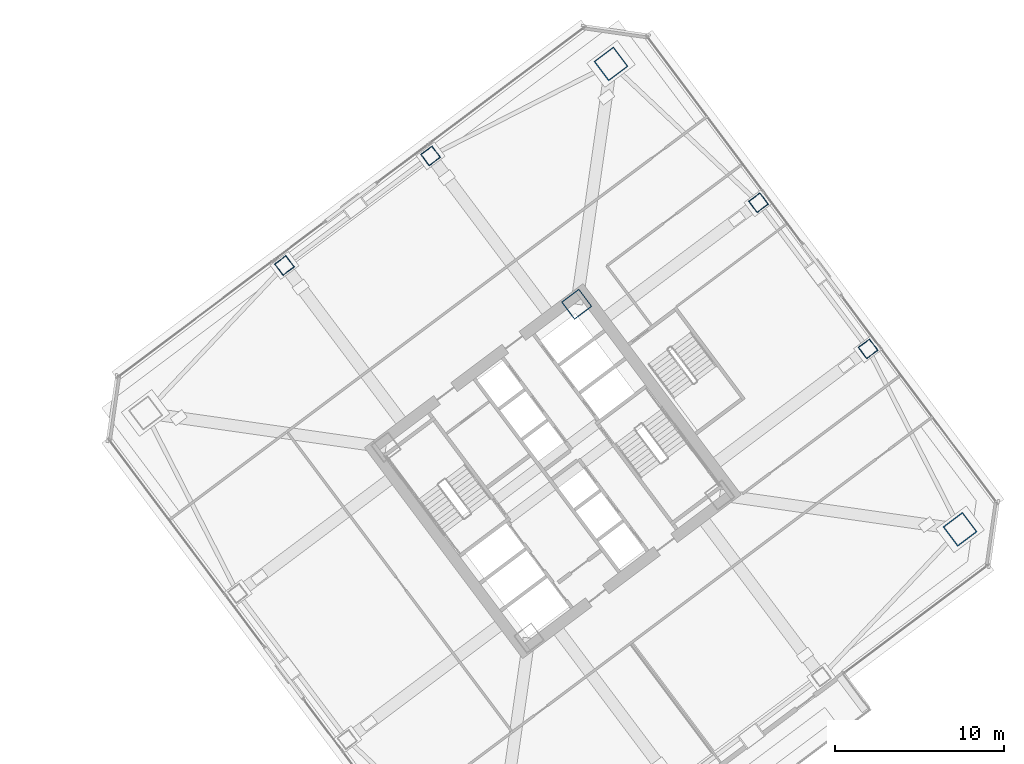
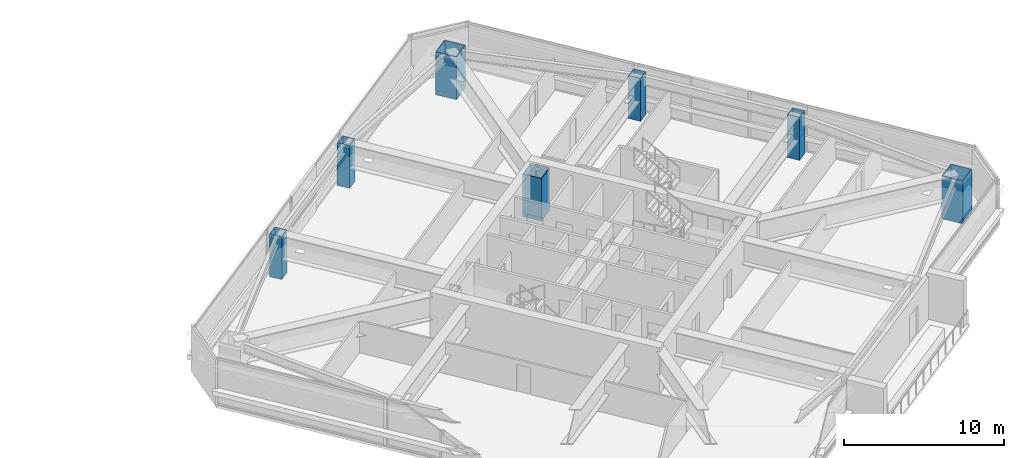
# One storey, part 2 of 49: 7 columns.
"""IFC4 building model written with IfcOpenShell, lengths in metres."""

from ifc_helpers import new_model, si_unit, direction, frame, origin, origin_2d, place, context, subcontext, project, spatial, hollow_rectangle, extrude, material, material_profile, profile_set, type_object, element, save


model = new_model("IFC4")

# Units and contexts
model_context = context("Model", 3, precision=1e-05, world=origin(), true_north=direction((0.0, 1.0)))
body_context = subcontext(model_context, "Body", "Model", "MODEL_VIEW")
ifc_project = project(units=[si_unit("LENGTHUNIT", "METRE"), si_unit("AREAUNIT", "SQUARE_METRE"), si_unit("VOLUMEUNIT", "CUBIC_METRE"), si_unit("PLANEANGLEUNIT", "RADIAN"), si_unit("MASSUNIT", "GRAM", prefix="KILO")], contexts=[model_context])

# Site, building, storey
site_placement = place(None, origin())
site = spatial("IfcSite", under=ifc_project, at=site_placement, CompositionType="ELEMENT")
building_placement = place(site_placement, origin())
building = spatial("IfcBuilding", under=site, at=building_placement, Name="Tashvorn Skyway Center", CompositionType="ELEMENT")
storey_placement = place(building_placement, frame((0.0, 0.0, 106.25)))
storey = spatial("IfcBuildingStorey", under=building, at=storey_placement, Name="L28", CompositionType="ELEMENT", Elevation=106.25)

# Columns
ifc_material = material(Name="Steel ASTM A572 Grade 50", Category="steel")
ifc_material_profile_1 = material_profile(ifc_material, hollow_rectangle(XDim=1.300048828125, YDim=1.300048828125, WallThickness=0.050048828125, at=origin_2d()), Name="BOX1300x1300x50")
ifc_profile_set_1 = profile_set([ifc_material_profile_1], Name="Steel ASTM A572 Grade 50")
column_type_1 = type_object("IfcColumnType", Name="COL-BOX1300x1300x50", PredefinedType="COLUMN", material=ifc_profile_set_1)
column_placement = place(storey_placement, frame((115.409912109375, 41.8701171875, 0.0), z_axis=(0.0, 0.0, 1.0), x_axis=(0.799999996291, 0.600000004945, 0.0)))
element("IfcColumn", 1, at=column_placement, inside=storey, type_object=column_type_1, Name="Tower 2 L28 Core Corner Column CC-NE", PredefinedType="COLUMN", context=body_context, shape_type="SweptSolid", body=[
    extrude(hollow_rectangle(XDim=1.300048828125, YDim=1.300048828125, WallThickness=0.050048828125, at=origin_2d()), origin(), (0.0, 0.0, 1.0), 3.25),
])
ifc_material_profile_2 = material_profile(ifc_material, hollow_rectangle(XDim=1.449951171875, YDim=1.449951171875, WallThickness=0.054931640625, at=origin_2d()), Name="BOX1450x1450x55")
ifc_profile_set_2 = profile_set([ifc_material_profile_2], Name="Steel ASTM A572 Grade 50")
column_type_2 = type_object("IfcColumnType", Name="COL-BOX1450x1450x55", PredefinedType="COLUMN", material=ifc_profile_set_2)
for number, where, z_axis, x_axis, name in (
    (2, (138.080078125, 28.56005859375, 0.0), (0.0, 0.0, 1.0), (0.799999996291, 0.600000004945, 0.0), "Tower 2 L28 Mega-Column MC-SE"),
    (3, (117.43994140625, 56.080078125, 0.0), (0.0, 0.0, 1.0), (0.799999996291, 0.600000004945, 0.0), "Tower 2 L28 Mega-Column MC-NE"),
):
    element("IfcColumn", number, at=place(storey_placement, frame(where, z_axis=z_axis, x_axis=x_axis)), inside=storey, type_object=column_type_2, Name=name, PredefinedType="COLUMN", context=body_context, shape_type="SweptSolid", body=[
        extrude(hollow_rectangle(XDim=1.449951171875, YDim=1.449951171875, WallThickness=0.054931640625, at=origin_2d()), origin(), (0.0, 0.0, 1.0), 3.25),
    ])
ifc_material_profile_3 = material_profile(ifc_material, hollow_rectangle(XDim=0.85009765625, YDim=0.85009765625, WallThickness=0.034912109375, at=origin_2d()), Name="BOX850x850x35")
ifc_profile_set_3 = profile_set([ifc_material_profile_3], Name="Steel ASTM A572 Grade 50")
column_type_3 = type_object("IfcColumnType", Name="COL-BOX850x850x35", PredefinedType="COLUMN", material=ifc_profile_set_3)
for number, where, z_axis, x_axis, name in (
    (4, (132.639892578125, 39.22998046875, 0.0), (0.0, 0.0, 1.0), (0.799999996291, 0.600000004945, 0.0), "Tower 2 L28 Perimeter Column FC-E1"),
    (5, (126.159912109375, 47.8701171875, 0.0), (0.0, 0.0, 1.0), (0.799999996291, 0.600000004945, 0.0), "Tower 2 L28 Perimeter Column FC-E2"),
    (6, (106.77001953125, 50.639892578125, 0.0), (0.0, 0.0, 1.0), (0.799999996291, 0.600000004945, 0.0), "Tower 2 L28 Perimeter Column FC-N1"),
    (7, (98.1298828125, 44.159912109375, 0.0), (0.0, 0.0, 1.0), (0.799999996291, 0.600000004945, 0.0), "Tower 2 L28 Perimeter Column FC-N2"),
):
    element("IfcColumn", number, at=place(storey_placement, frame(where, z_axis=z_axis, x_axis=x_axis)), inside=storey, type_object=column_type_3, Name=name, PredefinedType="COLUMN", context=body_context, shape_type="SweptSolid", body=[
        extrude(hollow_rectangle(XDim=0.85009765625, YDim=0.85009765625, WallThickness=0.034912109375, at=origin_2d()), origin(), (0.0, 0.0, 1.0), 3.25),
    ])

save(model, "model.ifc")
